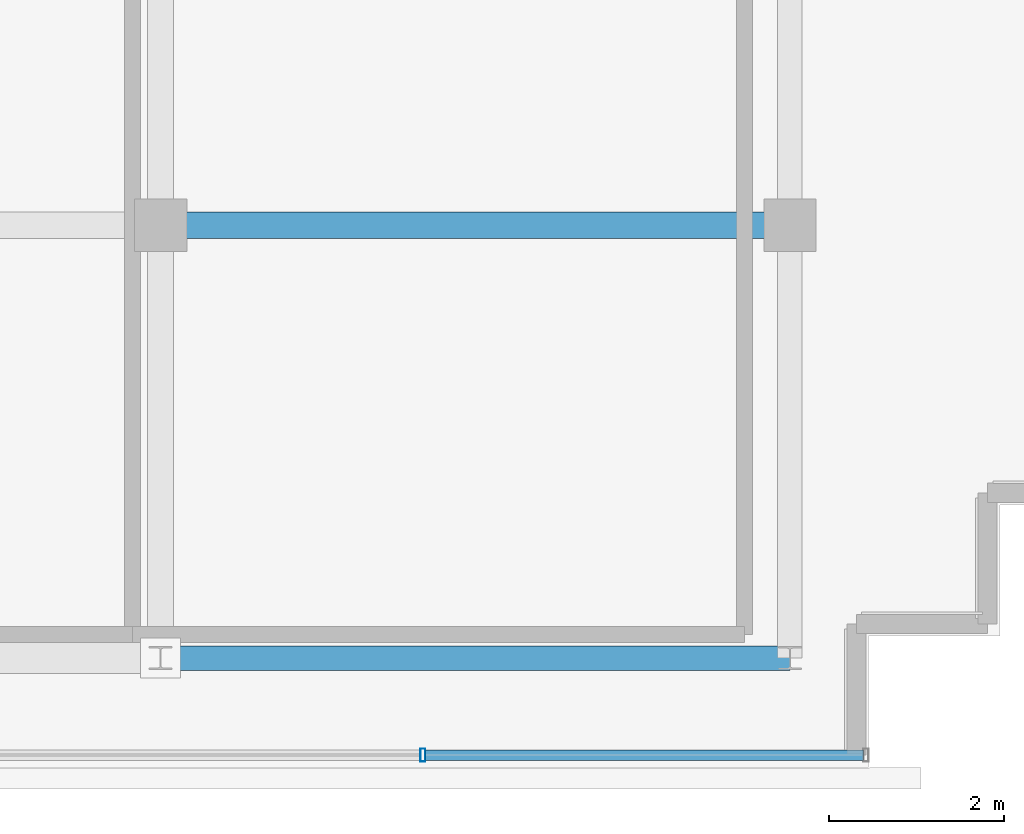
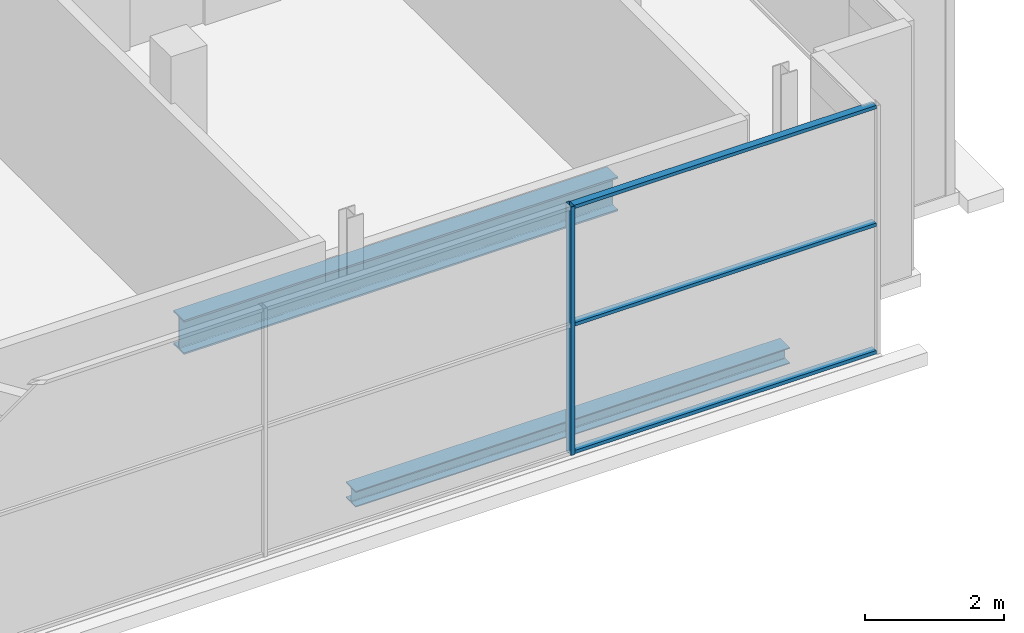
# One storey, part 12 of 28: 4 members, 2 beams, 1 element without a shape of its own.
"""IFC4 building model written with IfcOpenShell, lengths in metres."""

from ifc_helpers import new_model, si_unit, direction, frame, origin, origin_2d, place, context, subcontext, project, spatial, hollow_rectangle, i_section, extrude, source, transform, mapped, material, layer, layer_set, material_profile, profile_set, type_object, element, aggregate, save


model = new_model("IFC4")

# Units and contexts
model_context = context("Model", 3, precision=1e-05, world=origin(), true_north=direction((0.0, 1.0)))
body_context = subcontext(model_context, "Body", "Model", "MODEL_VIEW")
ifc_project = project(units=[si_unit("LENGTHUNIT", "METRE"), si_unit("AREAUNIT", "SQUARE_METRE"), si_unit("VOLUMEUNIT", "CUBIC_METRE"), si_unit("PLANEANGLEUNIT", "RADIAN"), si_unit("MASSUNIT", "GRAM", prefix="KILO")], contexts=[model_context])

# Site, building, storey
site_placement = place(None, origin())
site = spatial("IfcSite", under=ifc_project, at=site_placement, CompositionType="ELEMENT")
building_placement = place(site_placement, origin())
building = spatial("IfcBuilding", under=site, at=building_placement, Name="Zarnakvel Exchange Tower", CompositionType="ELEMENT")
storey_placement = place(building_placement, frame((0.0, 0.0, 290.0)))
storey = spatial("IfcBuildingStorey", under=building, at=storey_placement, Name="Crown L81", CompositionType="ELEMENT", Elevation=290.0)

# Beams
ifc_material_1 = material(Name="Steel S355", Category="steel")
ifc_material_profile_1 = material_profile(ifc_material_1, i_section(OverallWidth=0.300048828125, OverallDepth=0.60009765625, WebThickness=0.015380859375, FlangeThickness=0.030029296875, FilletRadius=0.027099609375, at=origin_2d()))
ifc_profile_set_1 = profile_set([ifc_material_profile_1], Name="Steel S355")
beam_type_1 = type_object("IfcBeamType", Name="G-04", PredefinedType="BEAM", material=ifc_profile_set_1)
beam_1_placement = place(storey_placement, frame((7.199951171875, -9.60009765625, -0.52001953125), z_axis=(1.0, 0.0, 0.0), x_axis=(0.0, 1.0, 0.0)))
element("IfcBeam", 1, at=beam_1_placement, inside=storey, type_object=beam_type_1, Name="Crown L81 Tower E-W Frame Beam", PredefinedType="BEAM", context=body_context, shape_type="SweptSolid", body=[
    extrude(i_section(OverallWidth=0.300048828125, OverallDepth=0.60009765625, WebThickness=0.015380859375, FlangeThickness=0.030029296875, FilletRadius=0.027099609375, at=origin_2d()), origin(), (0.0, 0.0, 1.0), 7.199951171875),
])
ifc_material_profile_2 = material_profile(ifc_material_1, i_section(OverallWidth=0.280029296875, OverallDepth=0.280029296875, WebThickness=0.010498046875, FlangeThickness=0.01806640625, FilletRadius=0.02392578125, at=origin_2d()))
ifc_profile_set_2 = profile_set([ifc_material_profile_2], Name="Steel S355")
beam_type_2 = type_object("IfcBeamType", Name="SP-04", PredefinedType="SPANDREL", material=ifc_profile_set_2)
beam_2_placement = place(storey_placement, frame((7.199951171875, -14.550048828125, -0.360107421875), z_axis=(1.0, 0.0, 0.0), x_axis=(0.0, 1.0, 0.0)))
element("IfcBeam", 2, at=beam_2_placement, inside=storey, type_object=beam_type_2, Name="Crown L81 Tower E-W Frame Beam", PredefinedType="SPANDREL", context=body_context, shape_type="SweptSolid", body=[
    extrude(i_section(OverallWidth=0.280029296875, OverallDepth=0.280029296875, WebThickness=0.010498046875, FlangeThickness=0.01806640625, FilletRadius=0.02392578125, at=origin_2d()), origin(), (0.0, 0.0, 1.0), 7.199951171875),
])

# Curtain wall, members
ifc_material_2 = material(Name="Architectural Bronze Anodised Aluminium", Category="aluminium")
ifc_layer = layer(ifc_material_2, 0.14990234375)
ifc_layer_set = layer_set([ifc_layer], Name="Architectural Bronze Anodised Aluminium")
curtain_wall_type = type_object("IfcCurtainWallType", Name="CW-07", PredefinedType="NOTDEFINED", material=ifc_layer_set)
curtain_wall_placement = place(storey_placement, origin())
curtain_wall = element("IfcCurtainWall", 3, at=curtain_wall_placement, inside=storey, type_object=curtain_wall_type, Name="Crown L81 Curtain Wall CW-Crown L81-S (CW-07)", PredefinedType="NOTDEFINED")
ifc_material_profile_3 = material_profile(ifc_material_2, hollow_rectangle(XDim=0.14990234375, YDim=0.06005859375, WallThickness=0.00390625, at=origin_2d()))
ifc_profile_set_3 = profile_set([ifc_material_profile_3], Name="Architectural Bronze Anodised Aluminium")
member_type_1 = type_object("IfcMemberType", Name="CWM-07", PredefinedType="MULLION", material=ifc_profile_set_3)
shared_shape_1 = source(origin(), body_context, "Body", "SweptSolid", [
    extrude(hollow_rectangle(XDim=0.14990234375, YDim=0.06005859375, WallThickness=0.00390625, at=origin_2d()), origin(), (0.0, 0.0, 1.0), 4.360107421875),
])
member_1_placement = place(storey_placement, frame((10.199951171875, -15.659912109375, 0.0), z_axis=(0.0, 0.0, 1.0), x_axis=(0.0, 1.0, 0.0)))
member_1 = element("IfcMember", 4, at=member_1_placement, type_object=member_type_1, Name="CW-07 mullion 6", PredefinedType="MULLION", context=body_context, shape_type="MappedRepresentation", body=[
    mapped(shared_shape_1, transform((0.0, 0.0, 0.0), x_axis=(1.0, 0.0, 0.0), y_axis=(0.0, 1.0, 0.0), z_axis=(0.0, 0.0, 1.0), scale=1.0)),
])
ifc_material_profile_4 = material_profile(ifc_material_2, hollow_rectangle(XDim=0.1201171875, YDim=0.06005859375, WallThickness=0.00390625, at=origin_2d()))
ifc_profile_set_4 = profile_set([ifc_material_profile_4], Name="Architectural Bronze Anodised Aluminium")
member_type_2 = type_object("IfcMemberType", Name="CWT-07", PredefinedType="USERDEFINED", material=ifc_profile_set_4)
shared_shape_2 = source(origin(), body_context, "Body", "SweptSolid", [
    extrude(hollow_rectangle(XDim=0.1201171875, YDim=0.06005859375, WallThickness=0.00390625, at=origin_2d()), origin(), (0.0, 0.0, 1.0), 5.010009765625),
])
member_2_placement = place(storey_placement, frame((10.22998046875, -15.659912109375, 0.030029296875), z_axis=(1.0, 0.0, 0.0), x_axis=(0.0, 1.0, 0.0)))
member_2 = element("IfcMember", 5, at=member_2_placement, type_object=member_type_2, Name="CW-07 transom 6.1", ObjectType="TRANSOM", PredefinedType="USERDEFINED", context=body_context, shape_type="MappedRepresentation", body=[
    mapped(shared_shape_2, transform((0.0, 0.0, 0.0), x_axis=(1.0, 0.0, 0.0), y_axis=(0.0, 1.0, 0.0), z_axis=(0.0, 0.0, 1.0), scale=1.0)),
])
member_3_placement = place(storey_placement, frame((10.22998046875, -15.659912109375, 2.26708984375), z_axis=(1.0, 0.0, 0.0), x_axis=(0.0, 1.0, 0.0)))
member_3 = element("IfcMember", 6, at=member_3_placement, type_object=member_type_2, Name="CW-07 transom 6.2", ObjectType="TRANSOM", PredefinedType="USERDEFINED", context=body_context, shape_type="MappedRepresentation", body=[
    mapped(shared_shape_2, transform((0.0, 0.0, 0.0), x_axis=(1.0, 0.0, 0.0), y_axis=(0.0, 1.0, 0.0), z_axis=(0.0, 0.0, 1.0), scale=1.0)),
])
member_4_placement = place(storey_placement, frame((10.22998046875, -15.659912109375, 4.330078125), z_axis=(1.0, 0.0, 0.0), x_axis=(0.0, 1.0, 0.0)))
member_4 = element("IfcMember", 7, at=member_4_placement, type_object=member_type_2, Name="CW-07 transom 6.3", ObjectType="TRANSOM", PredefinedType="USERDEFINED", context=body_context, shape_type="MappedRepresentation", body=[
    mapped(shared_shape_2, transform((0.0, 0.0, 0.0), x_axis=(1.0, 0.0, 0.0), y_axis=(0.0, 1.0, 0.0), z_axis=(0.0, 0.0, 1.0), scale=1.0)),
])
aggregate(curtain_wall, [member_1, member_2, member_3, member_4])

save(model, "model.ifc")
